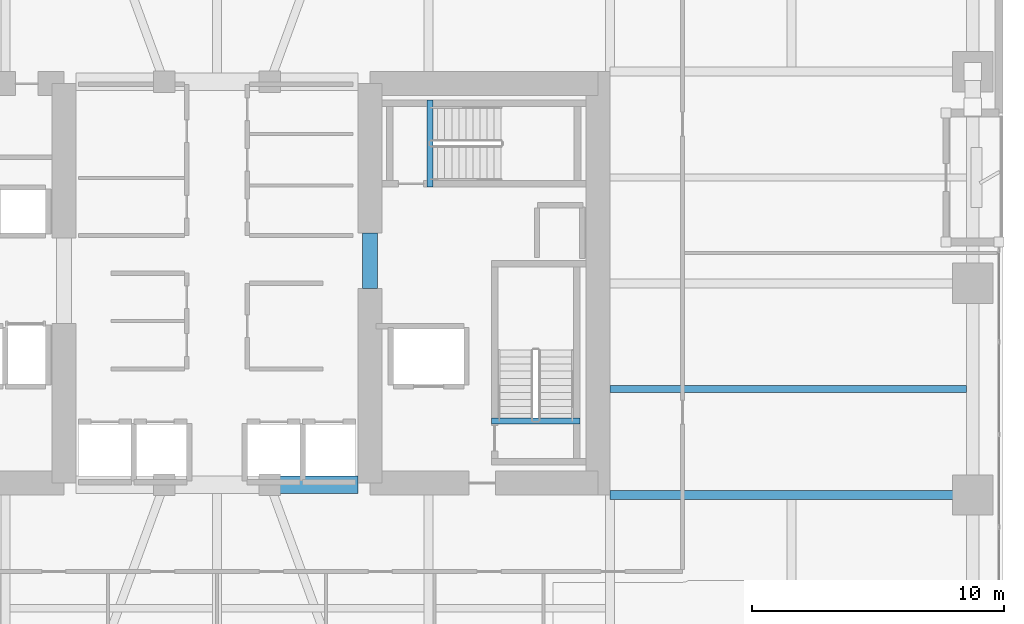
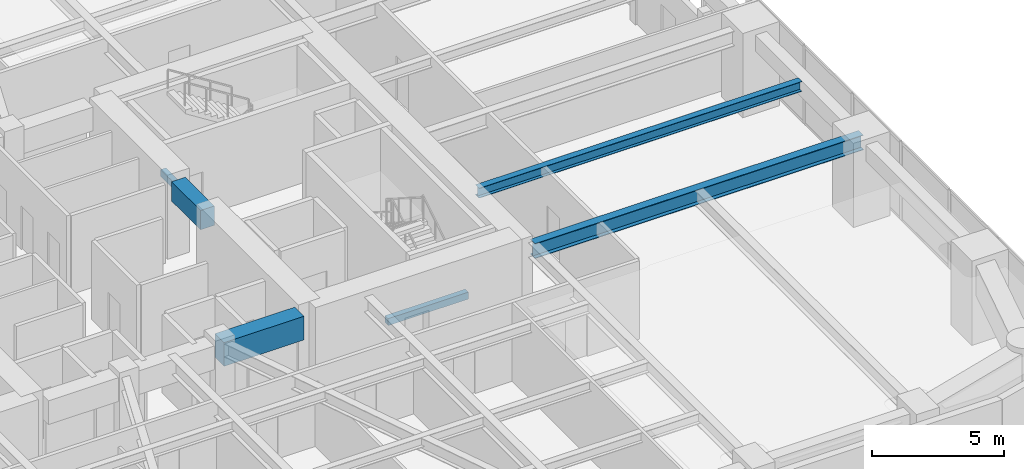
# One storey, part 7 of 28: 6 beams.
"""IFC4 building model written with IfcOpenShell, lengths in metres."""

from ifc_helpers import new_model, si_unit, direction, frame, origin, origin_2d, place, context, subcontext, project, spatial, rectangle, i_section, extrude, material, material_profile, profile_set, type_object, element, save


model = new_model("IFC4")

# Units and contexts
model_context = context("Model", 3, precision=1e-05, world=origin(), true_north=direction((0.0, 1.0)))
body_context = subcontext(model_context, "Body", "Model", "MODEL_VIEW")
ifc_project = project(units=[si_unit("LENGTHUNIT", "METRE"), si_unit("AREAUNIT", "SQUARE_METRE"), si_unit("VOLUMEUNIT", "CUBIC_METRE"), si_unit("PLANEANGLEUNIT", "RADIAN"), si_unit("MASSUNIT", "GRAM", prefix="KILO")], contexts=[model_context])

# Site, building, storey
site_placement = place(None, origin())
site = spatial("IfcSite", under=ifc_project, at=site_placement, CompositionType="ELEMENT")
building_placement = place(site_placement, origin())
building = spatial("IfcBuilding", under=site, at=building_placement, Name="Kiyonajd Concourse Tower", CompositionType="ELEMENT")
storey_placement = place(building_placement, frame((0.0, 0.0, 60.60009765625)))
storey = spatial("IfcBuildingStorey", under=building, at=storey_placement, Name="L16", CompositionType="ELEMENT", Elevation=60.60009765625)

# Beams
ifc_material_1 = material(Name="Concrete C70/85", Category="concrete")
ifc_material_profile_1 = material_profile(ifc_material_1, rectangle(XDim=0.699951171875, YDim=1.10009765625, at=origin_2d()), Name="RCBM-700x1100")
ifc_profile_set_1 = profile_set([ifc_material_profile_1], Name="Concrete C70/85")
beam_type_1 = type_object("IfcBeamType", Name="BM-COUP-1100", PredefinedType="LINTEL", material=ifc_profile_set_1)
beam_1_placement = place(storey_placement, frame((50.10009765625, 28.0, 3.08984375), z_axis=(1.0, 0.0, 0.0), x_axis=(0.0, 1.0, 0.0)))
element("IfcBeam", 1, at=beam_1_placement, inside=storey, type_object=beam_type_1, Name="L16 Core Coupling Beam S3", PredefinedType="LINTEL", context=body_context, shape_type="SweptSolid", body=[
    extrude(rectangle(XDim=0.699951171875, YDim=1.10009765625, at=origin_2d()), origin(), (0.0, 0.0, 1.0), 3.5),
])
ifc_material_2 = material(Name="Concrete C60/75", Category="concrete")
ifc_material_profile_2 = material_profile(ifc_material_2, rectangle(XDim=0.60009765625, YDim=0.89990234375, at=origin_2d()), Name="RCBM-600x900")
ifc_profile_set_2 = profile_set([ifc_material_profile_2], Name="Concrete C60/75")
beam_type_2 = type_object("IfcBeamType", Name="BM-COUP-900", PredefinedType="LINTEL", material=ifc_profile_set_2)
beam_2_placement = place(storey_placement, frame((54.074951171875, 35.800048828125, 3.08984375), z_axis=(0.0, 1.0, 0.0), x_axis=(-1.0, 0.0, 0.0)))
element("IfcBeam", 2, at=beam_2_placement, inside=storey, type_object=beam_type_2, Name="L16 East Core Throat Coupling Lintel", PredefinedType="LINTEL", context=body_context, shape_type="SweptSolid", body=[
    extrude(rectangle(XDim=0.60009765625, YDim=0.89990234375, at=origin_2d()), origin(), (0.0, 0.0, 1.0), 2.199951171875),
])
ifc_material_3 = material(Name="Steel ASTM A992 Grade 50", Category="steel")
ifc_material_profile_3 = material_profile(ifc_material_3, i_section(OverallWidth=0.280029296875, OverallDepth=0.462890625, WebThickness=0.0107421875, FlangeThickness=0.017333984375, at=origin_2d()), Name="W460X113")
ifc_profile_set_3 = profile_set([ifc_material_profile_3], Name="Steel ASTM A992 Grade 50")
beam_type_3 = type_object("IfcBeamType", Name="BM-JST-460A", PredefinedType="JOIST", material=ifc_profile_set_3)
beam_3_placement = place(storey_placement, frame((63.60009765625, 31.800048828125, 3.408447265625), z_axis=(1.0, 0.0, 0.0), x_axis=(0.0, 1.0, 0.0)))
element("IfcBeam", 3, at=beam_3_placement, inside=storey, type_object=beam_type_3, Name="L16 East Secondary Floor Joist", PredefinedType="JOIST", context=body_context, shape_type="SweptSolid", body=[
    extrude(i_section(OverallWidth=0.280029296875, OverallDepth=0.462890625, WebThickness=0.0107421875, FlangeThickness=0.017333984375, at=origin_2d()), origin(), (0.0, 0.0, 1.0), 14.14990234375),
])
ifc_material_4 = material(Name="Concrete C50/60", Category="concrete")
ifc_material_profile_4 = material_profile(ifc_material_4, rectangle(XDim=0.239990234375, YDim=0.320068359375, at=origin_2d()), Name="RCBM-240x320")
ifc_profile_set_4 = profile_set([ifc_material_profile_4], Name="Concrete C50/60")
beam_type_4 = type_object("IfcBeamType", Name="BM-LNT-250", PredefinedType="LINTEL", material=ifc_profile_set_4)
beam_4_placement = place(storey_placement, frame((58.889892578125, 30.530029296875, -0.16015625), z_axis=(1.0, 0.0, 0.0), x_axis=(0.0, 1.0, 0.0)))
element("IfcBeam", 4, at=beam_4_placement, inside=storey, type_object=beam_type_4, Name="L16 Stair ST2 Threshold Support Beam", PredefinedType="LINTEL", context=body_context, shape_type="SweptSolid", body=[
    extrude(rectangle(XDim=0.239990234375, YDim=0.320068359375, at=origin_2d()), origin(), (0.0, 0.0, 1.0), 3.52001953125),
])
beam_5_placement = place(storey_placement, frame((56.4599609375, 39.820068359375, -0.16015625), z_axis=(0.0, 1.0, 0.0), x_axis=(-1.0, 0.0, 0.0)))
element("IfcBeam", 5, at=beam_5_placement, inside=storey, type_object=beam_type_4, Name="L16 Stair ST3 Threshold Support Beam", PredefinedType="LINTEL", context=body_context, shape_type="SweptSolid", body=[
    extrude(rectangle(XDim=0.239990234375, YDim=0.320068359375, at=origin_2d()), origin(), (0.0, 0.0, 1.0), 3.4599609375),
])
ifc_material_profile_5 = material_profile(ifc_material_3, i_section(OverallWidth=0.35498046875, OverallDepth=0.695068359375, WebThickness=0.015380859375, FlangeThickness=0.02490234375, at=origin_2d()), Name="W690X217")
ifc_profile_set_5 = profile_set([ifc_material_profile_5], Name="Steel ASTM A992 Grade 50")
beam_type_5 = type_object("IfcBeamType", Name="BM-TWR-690", PredefinedType="BEAM", material=ifc_profile_set_5)
beam_6_placement = place(storey_placement, frame((63.60009765625, 27.60009765625, 3.29248046875), z_axis=(1.0, 0.0, 0.0), x_axis=(0.0, 1.0, 0.0)))
element("IfcBeam", 6, at=beam_6_placement, inside=storey, type_object=beam_type_5, Name="L16 East Lease Girder", PredefinedType="BEAM", context=body_context, shape_type="SweptSolid", body=[
    extrude(i_section(OverallWidth=0.35498046875, OverallDepth=0.695068359375, WebThickness=0.015380859375, FlangeThickness=0.02490234375, at=origin_2d()), origin(), (0.0, 0.0, 1.0), 14.39990234375),
])

save(model, "model.ifc")
